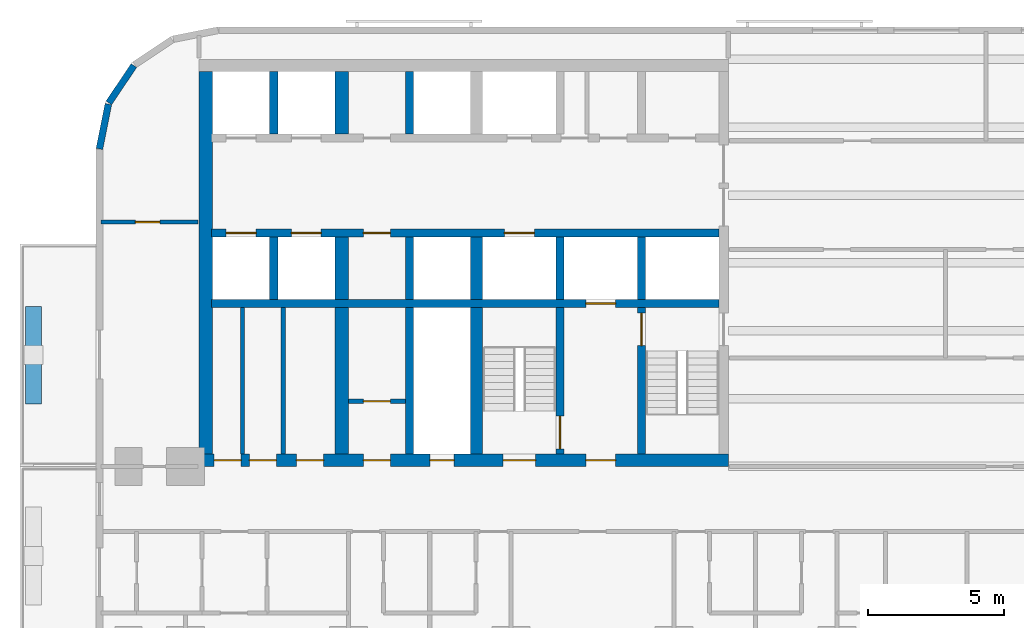
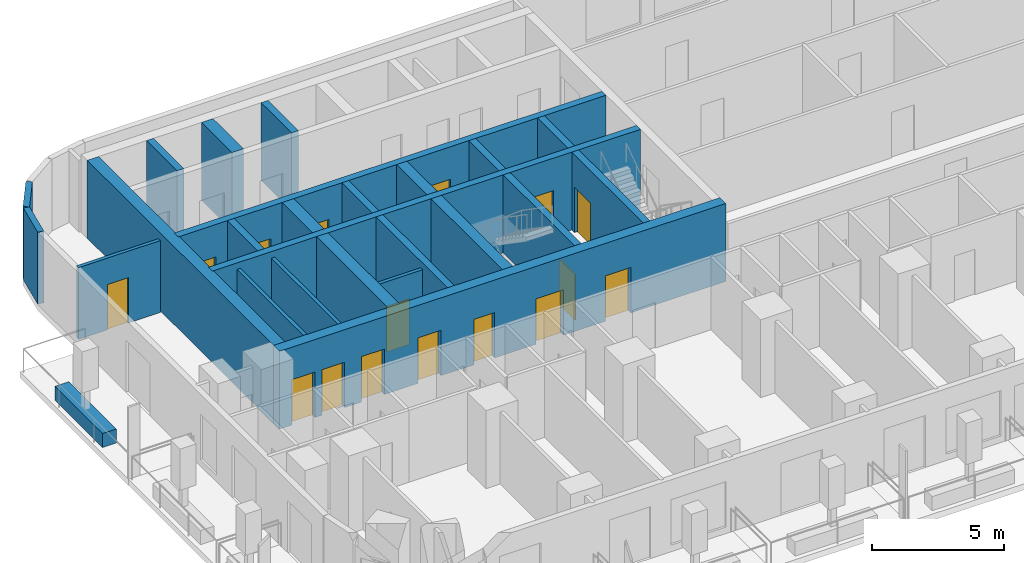
# One storey, part 3 of 15: 25 walls, 16 doors, 16 openings.
"""IFC4 building model written with IfcOpenShell, lengths in metres."""

from ifc_helpers import new_model, si_unit, direction, frame, frame_2d, origin, place, context, subcontext, project, spatial, rectangle, extrude, material, layer, layer_set, type_object, element, fill, save


model = new_model("IFC4")

# Units and contexts
model_context = context("Model", 3, precision=1e-05, world=origin(), true_north=direction((0.0, 1.0)))
body_context = subcontext(model_context, "Body", "Model", "MODEL_VIEW")
ifc_project = project(units=[si_unit("LENGTHUNIT", "METRE"), si_unit("AREAUNIT", "SQUARE_METRE"), si_unit("VOLUMEUNIT", "CUBIC_METRE"), si_unit("PLANEANGLEUNIT", "RADIAN"), si_unit("MASSUNIT", "GRAM", prefix="KILO")], contexts=[model_context])

# Site, building, storey
site_placement = place(None, origin())
site = spatial("IfcSite", under=ifc_project, at=site_placement, CompositionType="ELEMENT")
building_placement = place(site_placement, origin())
building = spatial("IfcBuilding", under=site, at=building_placement, Name="Torana Hotel and Residences", CompositionType="ELEMENT")
storey_placement = place(building_placement, frame((0.0, 0.0, 45.60009765625)))
storey = spatial("IfcBuildingStorey", under=building, at=storey_placement, Name="L10", CompositionType="ELEMENT", Elevation=45.60009765625)

# Wall, openings, doors
ifc_material_1 = material(Name="Concrete C80/95", Category="concrete")
ifc_layer_1 = layer(ifc_material_1, 0.300048828125)
ifc_layer_set_1 = layer_set([ifc_layer_1], Name="CORE WALL 300 C80/95")
wall_type_1 = type_object("IfcWallType", Name="CORE WALL 300 C80/95", PredefinedType="SHEAR", material=ifc_layer_set_1)
wall_1_placement = place(storey_placement, frame((-29.050048828125, -6.39990234375, 0.0), z_axis=(0.0, 0.0, 1.0), x_axis=(1.0, 0.0, 0.0)))
wall_1 = element("IfcWall", 1, at=wall_1_placement, inside=storey, type_object=wall_type_1, Name="Core wall W row-S", PredefinedType="SHEAR", context=body_context, shape_type="SweptSolid", body=[
    extrude(rectangle(XDim=18.699951171875, YDim=0.300048828125, at=frame_2d((9.35009765625, 0.0))), origin(), (0.0, 0.0, 1.0), 3.599853515625),
])
opening_1_placement = place(wall_1_placement, frame((2.949951171875, 0.0, 0.0)))
opening_1 = element("IfcOpeningElement", 2, at=opening_1_placement, cuts=wall_1, Name="Opening LD", PredefinedType="OPENING", context=body_context, shape_type="SweptSolid", body=[
    extrude(rectangle(XDim=1.10009765625, YDim=2.10009765625, at=frame_2d((0.550048828125, 1.050048828125))), frame((0.0, 0.159912109375, 0.0), z_axis=(0.0, -1.0, 0.0), x_axis=(1.0, 0.0, 0.0)), (0.0, 0.0, 1.0), 0.320068359375),
])
opening_2_placement = place(wall_1_placement, frame((0.550048828125, 0.0, 0.0)))
opening_2 = element("IfcOpeningElement", 3, at=opening_2_placement, cuts=wall_1, Name="Opening LD", PredefinedType="OPENING", context=body_context, shape_type="SweptSolid", body=[
    extrude(rectangle(XDim=1.10009765625, YDim=2.10009765625, at=frame_2d((0.550048828125, 1.050048828125))), frame((0.0, 0.159912109375, 0.0), z_axis=(0.0, -1.0, 0.0), x_axis=(1.0, 0.0, 0.0)), (0.0, 0.0, 1.0), 0.320068359375),
])
opening_3_placement = place(wall_1_placement, frame((10.800048828125, 0.0, 0.0)))
opening_3 = element("IfcOpeningElement", 4, at=opening_3_placement, cuts=wall_1, Name="Opening LD", PredefinedType="OPENING", context=body_context, shape_type="SweptSolid", body=[
    extrude(rectangle(XDim=1.10009765625, YDim=2.10009765625, at=frame_2d((0.550048828125, 1.050048828125))), frame((0.0, 0.159912109375, 0.0), z_axis=(0.0, -1.0, 0.0), x_axis=(1.0, 0.0, 0.0)), (0.0, 0.0, 1.0), 0.320068359375),
])
opening_4_placement = place(wall_1_placement, frame((5.60009765625, 0.0, 0.0)))
opening_4 = element("IfcOpeningElement", 5, at=opening_4_placement, cuts=wall_1, Name="Opening L10-16", PredefinedType="OPENING", context=body_context, shape_type="SweptSolid", body=[
    extrude(rectangle(XDim=1.0, YDim=2.10009765625, at=frame_2d((0.5, 1.050048828125))), frame((0.0, 0.159912109375, 0.0), z_axis=(0.0, -1.0, 0.0), x_axis=(1.0, 0.0, 0.0)), (0.0, 0.0, 1.0), 0.320068359375),
])
ifc_material_2 = material(Name="Steel S235", Category="steel")
door_type_1 = type_object("IfcDoorType", Name="CORE ROOM FIRE DOOR D14 1000x2100", OperationType="SINGLE_SWING_LEFT", PredefinedType="DOOR", material=ifc_material_2)
door_1_placement = place(opening_4_placement, frame((0.5, 0.0, 0.0), z_axis=(0.0, 0.0, 1.0), x_axis=(-1.0, 0.0, 0.0)))
door_1 = element("IfcDoor", 6, at=door_1_placement, inside=storey, type_object=door_type_1, Name="Free-M2 door L10", OperationType="SINGLE_SWING_LEFT", OverallHeight=2.10009765625, OverallWidth=1.0, PredefinedType="DOOR", context=body_context, shape_type="SweptSolid", body=[
    extrude(rectangle(XDim=1.0, YDim=2.10009765625, at=frame_2d((0.0, 1.050048828125))), frame((0.0, -0.02490234375, 0.0), z_axis=(0.0, 1.0, 0.0), x_axis=(-1.0, 0.0, 0.0)), (0.0, 0.0, 1.0), 0.050048828125),
])
fill(opening_4, door_1)
ifc_material_3 = material(Name="Stainless steel 316", Category="steel")
door_type_2 = type_object("IfcDoorType", Name="LIFT LANDING DOOR LD 1100x2100", OperationType="DOUBLE_DOOR_SLIDING", PredefinedType="USERDEFINED", material=ifc_material_3)
door_2_placement = place(opening_1_placement, origin())
door_2 = element("IfcDoor", 7, at=door_2_placement, inside=storey, type_object=door_type_2, Name="Lift landing door L3 L10", ObjectType="LIFT LANDING DOOR", OperationType="DOUBLE_DOOR_SLIDING", OverallHeight=2.10009765625, OverallWidth=1.10009765625, PredefinedType="USERDEFINED", context=body_context, shape_type="SweptSolid", body=[
    extrude(rectangle(XDim=1.10009765625, YDim=2.10009765625, at=frame_2d((0.550048828125, 1.050048828125))), frame((0.0, 0.02490234375, 0.0), z_axis=(0.0, -1.0, 0.0), x_axis=(1.0, 0.0, 0.0)), (0.0, 0.0, 1.0), 0.050048828125),
])
fill(opening_1, door_2)
door_3_placement = place(opening_2_placement, origin())
door_3 = element("IfcDoor", 8, at=door_3_placement, inside=storey, type_object=door_type_2, Name="Lift landing door L4 L10", ObjectType="LIFT LANDING DOOR", OperationType="DOUBLE_DOOR_SLIDING", OverallHeight=2.10009765625, OverallWidth=1.10009765625, PredefinedType="USERDEFINED", context=body_context, shape_type="SweptSolid", body=[
    extrude(rectangle(XDim=1.10009765625, YDim=2.10009765625, at=frame_2d((0.550048828125, 1.050048828125))), frame((0.0, 0.02490234375, 0.0), z_axis=(0.0, -1.0, 0.0), x_axis=(1.0, 0.0, 0.0)), (0.0, 0.0, 1.0), 0.050048828125),
])
fill(opening_2, door_3)
door_4_placement = place(opening_3_placement, origin())
door_4 = element("IfcDoor", 9, at=door_4_placement, inside=storey, type_object=door_type_2, Name="Lift landing door SV1 L10", ObjectType="LIFT LANDING DOOR", OperationType="DOUBLE_DOOR_SLIDING", OverallHeight=2.10009765625, OverallWidth=1.10009765625, PredefinedType="USERDEFINED", context=body_context, shape_type="SweptSolid", body=[
    extrude(rectangle(XDim=1.10009765625, YDim=2.10009765625, at=frame_2d((0.550048828125, 1.050048828125))), frame((0.0, 0.02490234375, 0.0), z_axis=(0.0, -1.0, 0.0), x_axis=(1.0, 0.0, 0.0)), (0.0, 0.0, 1.0), 0.050048828125),
])
fill(opening_3, door_4)

# Wall, opening, door
wall_2_placement = place(storey_placement, frame((-29.050048828125, -9.0, 0.0), z_axis=(0.0, 0.0, 1.0), x_axis=(1.0, 0.0, 0.0)))
wall_2 = element("IfcWall", 10, at=wall_2_placement, inside=storey, type_object=wall_type_1, Name="Core wall W band", PredefinedType="SHEAR", context=body_context, shape_type="SweptSolid", body=[
    extrude(rectangle(XDim=18.699951171875, YDim=0.300048828125, at=frame_2d((9.35009765625, 0.0))), origin(), (0.0, 0.0, 1.0), 3.599853515625),
])
opening_5_placement = place(wall_2_placement, frame((13.800048828125, 0.0, 0.0)))
opening_5 = element("IfcOpeningElement", 11, at=opening_5_placement, cuts=wall_2, Name="Opening LD", PredefinedType="OPENING", context=body_context, shape_type="SweptSolid", body=[
    extrude(rectangle(XDim=1.10009765625, YDim=2.10009765625, at=frame_2d((0.550048828125, 1.050048828125))), frame((0.0, 0.159912109375, 0.0), z_axis=(0.0, -1.0, 0.0), x_axis=(1.0, 0.0, 0.0)), (0.0, 0.0, 1.0), 0.320068359375),
])
door_5_placement = place(opening_5_placement, origin())
door_5 = element("IfcDoor", 12, at=door_5_placement, inside=storey, type_object=door_type_2, Name="Lift landing door FF1 L10", ObjectType="LIFT LANDING DOOR", OperationType="DOUBLE_DOOR_SLIDING", OverallHeight=2.10009765625, OverallWidth=1.10009765625, PredefinedType="USERDEFINED", context=body_context, shape_type="SweptSolid", body=[
    extrude(rectangle(XDim=1.10009765625, YDim=2.10009765625, at=frame_2d((0.550048828125, 1.050048828125))), frame((0.0, 0.02490234375, 0.0), z_axis=(0.0, -1.0, 0.0), x_axis=(1.0, 0.0, 0.0)), (0.0, 0.0, 1.0), 0.050048828125),
])
fill(opening_5, door_5)

# Wall
wall_3_placement = place(storey_placement, frame((-13.199951171875, -8.85009765625, 0.0), z_axis=(0.0, 0.0, 1.0), x_axis=(0.0, 1.0, 0.0)))
element("IfcWall", 13, at=wall_3_placement, inside=storey, type_object=wall_type_1, Name="Core wall W x3.05-S", PredefinedType="SHEAR", context=body_context, shape_type="SweptSolid", body=[
    extrude(rectangle(XDim=2.300048828125, YDim=0.300048828125, at=frame_2d((1.14990234375, 0.0))), origin(), (0.0, 0.0, 1.0), 3.599853515625),
])

# Wall, opening, door
wall_4_placement = place(storey_placement, frame((-13.199951171875, -14.550048828125, 0.0), z_axis=(0.0, 0.0, 1.0), x_axis=(0.0, 1.0, 0.0)))
wall_4 = element("IfcWall", 14, at=wall_4_placement, inside=storey, type_object=wall_type_1, Name="Core wall W x3.05-band", PredefinedType="SHEAR", context=body_context, shape_type="SweptSolid", body=[
    extrude(rectangle(XDim=5.400146484375, YDim=0.300048828125, at=frame_2d((2.7001953125, 0.0))), origin(), (0.0, 0.0, 1.0), 3.599853515625),
])
opening_6_placement = place(wall_4_placement, frame((4.0, 0.0, 0.0)))
opening_6 = element("IfcOpeningElement", 15, at=opening_6_placement, cuts=wall_4, Name="Opening L10-17", PredefinedType="OPENING", context=body_context, shape_type="SweptSolid", body=[
    extrude(rectangle(XDim=1.199951171875, YDim=2.10009765625, at=frame_2d((0.60009765625, 1.050048828125))), frame((0.0, 0.159912109375, 0.0), z_axis=(0.0, -1.0, 0.0), x_axis=(1.0, 0.0, 0.0)), (0.0, 0.0, 1.0), 0.320068359375),
])
ifc_material_4 = material(Name="Steel S235", Category="steel")
door_type_3 = type_object("IfcDoorType", Name="STAIR FIRE DOOR D3 1200x2100", OperationType="SINGLE_SWING_LEFT", PredefinedType="DOOR", material=ifc_material_4)
door_6_placement = place(opening_6_placement, frame((0.60009765625, 0.0, 0.0), z_axis=(0.0, 0.0, 1.0), x_axis=(-1.0, 0.0, 0.0)))
door_6 = element("IfcDoor", 16, at=door_6_placement, inside=storey, type_object=door_type_3, Name="Stair-A-lobby door L10", OperationType="SINGLE_SWING_RIGHT", OverallHeight=2.10009765625, OverallWidth=1.199951171875, PredefinedType="DOOR", context=body_context, shape_type="SweptSolid", body=[
    extrude(rectangle(XDim=1.199951171875, YDim=2.10009765625, at=frame_2d((0.0, 1.050048828125))), frame((0.0, -0.02490234375, 0.0), z_axis=(0.0, 1.0, 0.0), x_axis=(-1.0, 0.0, 0.0)), (0.0, 0.0, 1.0), 0.050048828125),
])
fill(opening_6, door_6)

# Wall
wall_5_placement = place(storey_placement, frame((-16.199951171875, -8.85009765625, 0.0), z_axis=(0.0, 0.0, 1.0), x_axis=(0.0, 1.0, 0.0)))
element("IfcWall", 17, at=wall_5_placement, inside=storey, type_object=wall_type_1, Name="Core wall W x6.05-S", PredefinedType="SHEAR", context=body_context, shape_type="SweptSolid", body=[
    extrude(rectangle(XDim=2.300048828125, YDim=0.300048828125, at=frame_2d((1.14990234375, 0.0))), origin(), (0.0, 0.0, 1.0), 3.599853515625),
])

# Wall, opening, door
wall_6_placement = place(storey_placement, frame((-16.199951171875, -14.550048828125, 0.0), z_axis=(0.0, 0.0, 1.0), x_axis=(0.0, 1.0, 0.0)))
wall_6 = element("IfcWall", 18, at=wall_6_placement, inside=storey, type_object=wall_type_1, Name="Core wall W x6.05-band", PredefinedType="SHEAR", context=body_context, shape_type="SweptSolid", body=[
    extrude(rectangle(XDim=5.400146484375, YDim=0.300048828125, at=frame_2d((2.7001953125, 0.0))), origin(), (0.0, 0.0, 1.0), 3.599853515625),
])
opening_7_placement = place(wall_6_placement, frame((0.199951171875, 0.0, 0.0)))
opening_7 = element("IfcOpeningElement", 19, at=opening_7_placement, cuts=wall_6, Name="Opening L10-18", PredefinedType="OPENING", context=body_context, shape_type="SweptSolid", body=[
    extrude(rectangle(XDim=1.199951171875, YDim=2.10009765625, at=frame_2d((0.60009765625, 1.050048828125))), frame((0.0, 0.159912109375, 0.0), z_axis=(0.0, -1.0, 0.0), x_axis=(1.0, 0.0, 0.0)), (0.0, 0.0, 1.0), 0.320068359375),
])
door_7_placement = place(opening_7_placement, origin())
door_7 = element("IfcDoor", 20, at=door_7_placement, inside=storey, type_object=door_type_3, Name="Stair-B-lobby door L10", OperationType="SINGLE_SWING_RIGHT", OverallHeight=2.10009765625, OverallWidth=1.199951171875, PredefinedType="DOOR", context=body_context, shape_type="SweptSolid", body=[
    extrude(rectangle(XDim=1.199951171875, YDim=2.10009765625, at=frame_2d((0.60009765625, 1.050048828125))), frame((0.0, 0.02490234375, 0.0), z_axis=(0.0, -1.0, 0.0), x_axis=(1.0, 0.0, 0.0)), (0.0, 0.0, 1.0), 0.050048828125),
])
fill(opening_7, door_7)

# Walls
for number, where, z_axis, x_axis, name in (
    (21, (-21.75, -2.75, 0.0), (0.0, 0.0, 1.0), (0.0, 1.0, 0.0), "Core wall W mm-N"),
    (22, (-21.75, -8.85009765625, 0.0), (0.0, 0.0, 1.0), (0.0, 1.0, 0.0), "Core wall W mm-S"),
):
    element("IfcWall", number, at=place(storey_placement, frame(where, z_axis=z_axis, x_axis=x_axis)), inside=storey, type_object=wall_type_1, Name=name, PredefinedType="SHEAR", context=body_context, shape_type="SweptSolid", body=[
        extrude(rectangle(XDim=2.300048828125, YDim=0.300048828125, at=frame_2d((1.14990234375, 0.0))), origin(), (0.0, 0.0, 1.0), 3.599853515625),
    ])
wall_7_placement = place(storey_placement, frame((-21.75, -14.550048828125, 0.0), z_axis=(0.0, 0.0, 1.0), x_axis=(0.0, 1.0, 0.0)))
element("IfcWall", 23, at=wall_7_placement, inside=storey, type_object=wall_type_1, Name="Core wall W mm-band", PredefinedType="SHEAR", context=body_context, shape_type="SweptSolid", body=[
    extrude(rectangle(XDim=5.400146484375, YDim=0.300048828125, at=frame_2d((2.7001953125, 0.0))), origin(), (0.0, 0.0, 1.0), 3.599853515625),
])
for number, where, z_axis, x_axis, name in (
    (24, (-26.75, -2.75, 0.0), (0.0, 0.0, 1.0), (0.0, 1.0, 0.0), "Core wall W ll-N"),
    (25, (-26.75, -8.85009765625, 0.0), (0.0, 0.0, 1.0), (0.0, 1.0, 0.0), "Core wall W ll-S"),
):
    element("IfcWall", number, at=place(storey_placement, frame(where, z_axis=z_axis, x_axis=x_axis)), inside=storey, type_object=wall_type_1, Name=name, PredefinedType="SHEAR", context=body_context, shape_type="SweptSolid", body=[
        extrude(rectangle(XDim=2.300048828125, YDim=0.300048828125, at=frame_2d((1.14990234375, 0.0))), origin(), (0.0, 0.0, 1.0), 3.599853515625),
    ])

# Wall, openings, doors
ifc_material_5 = material(Name="Concrete C80/95", Category="concrete")
ifc_layer_2 = layer(ifc_material_5, 0.449951171875)
ifc_layer_set_2 = layer_set([ifc_layer_2], Name="CORE WALL 450 C80/95")
wall_type_2 = type_object("IfcWallType", Name="CORE WALL 450 C80/95", PredefinedType="SHEAR", material=ifc_layer_set_2)
wall_8_placement = place(storey_placement, frame((-29.5, -14.77490234375, 0.0), z_axis=(0.0, 0.0, 1.0), x_axis=(1.0, 0.0, 0.0)))
wall_8 = element("IfcWall", 26, at=wall_8_placement, inside=storey, type_object=wall_type_2, Name="Core wall W front", PredefinedType="SHEAR", context=body_context, shape_type="SweptSolid", body=[
    extrude(rectangle(XDim=19.5, YDim=0.449951171875, at=frame_2d((9.75, 0.0))), origin(), (0.0, 0.0, 1.0), 3.599853515625),
])
opening_8_placement = place(wall_8_placement, frame((11.199951171875, 0.0, 0.0)))
opening_8 = element("IfcOpeningElement", 27, at=opening_8_placement, cuts=wall_8, Name="Opening L10-04", PredefinedType="OPENING", context=body_context, shape_type="SweptSolid", body=[
    extrude(rectangle(XDim=1.199951171875, YDim=2.10009765625, at=frame_2d((0.60009765625, 1.050048828125))), frame((0.0, 0.23486328125, 0.0), z_axis=(0.0, -1.0, 0.0), x_axis=(1.0, 0.0, 0.0)), (0.0, 0.0, 1.0), 0.469970703125),
])
opening_9_placement = place(wall_8_placement, frame((14.25, 0.0, 0.0)))
opening_9 = element("IfcOpeningElement", 28, at=opening_9_placement, cuts=wall_8, Name="Opening L10-05", PredefinedType="OPENING", context=body_context, shape_type="SweptSolid", body=[
    extrude(rectangle(XDim=1.10009765625, YDim=2.10009765625, at=frame_2d((0.550048828125, 1.050048828125))), frame((0.0, 0.23486328125, 0.0), z_axis=(0.0, -1.0, 0.0), x_axis=(1.0, 0.0, 0.0)), (0.0, 0.0, 1.0), 0.469970703125),
])
opening_10_placement = place(wall_8_placement, frame((8.5, 0.0, 0.0)))
opening_10 = element("IfcOpeningElement", 29, at=opening_10_placement, cuts=wall_8, Name="Opening L10-06", PredefinedType="OPENING", context=body_context, shape_type="SweptSolid", body=[
    extrude(rectangle(XDim=0.89990234375, YDim=2.10009765625, at=frame_2d((0.449951171875, 1.050048828125))), frame((0.0, 0.23486328125, 0.0), z_axis=(0.0, -1.0, 0.0), x_axis=(1.0, 0.0, 0.0)), (0.0, 0.0, 1.0), 0.469970703125),
])
opening_11_placement = place(wall_8_placement, frame((6.050048828125, 0.0, 0.0)))
opening_11 = element("IfcOpeningElement", 30, at=opening_11_placement, cuts=wall_8, Name="Opening L10-07", PredefinedType="OPENING", context=body_context, shape_type="SweptSolid", body=[
    extrude(rectangle(XDim=1.0, YDim=2.10009765625, at=frame_2d((0.5, 1.050048828125))), frame((0.0, 0.23486328125, 0.0), z_axis=(0.0, -1.0, 0.0), x_axis=(1.0, 0.0, 0.0)), (0.0, 0.0, 1.0), 0.469970703125),
])
opening_12_placement = place(wall_8_placement, frame((3.58740234375, 0.0, 0.0)))
opening_12 = element("IfcOpeningElement", 31, at=opening_12_placement, cuts=wall_8, Name="Opening L10-08", PredefinedType="OPENING", context=body_context, shape_type="SweptSolid", body=[
    extrude(rectangle(XDim=1.0, YDim=2.10009765625, at=frame_2d((0.5, 1.050048828125))), frame((0.0, 0.23486328125, 0.0), z_axis=(0.0, -1.0, 0.0), x_axis=(1.0, 0.0, 0.0)), (0.0, 0.0, 1.0), 0.469970703125),
])
opening_13_placement = place(wall_8_placement, frame((1.85009765625, 0.0, 0.0)))
opening_13 = element("IfcOpeningElement", 32, at=opening_13_placement, cuts=wall_8, Name="Opening L10-09", PredefinedType="OPENING", context=body_context, shape_type="SweptSolid", body=[
    extrude(rectangle(XDim=1.0, YDim=2.10009765625, at=frame_2d((0.5, 1.050048828125))), frame((0.0, 0.23486328125, 0.0), z_axis=(0.0, -1.0, 0.0), x_axis=(1.0, 0.0, 0.0)), (0.0, 0.0, 1.0), 0.469970703125),
])
opening_14_placement = place(wall_8_placement, frame((0.550048828125, 0.0, 0.0)))
opening_14 = element("IfcOpeningElement", 33, at=opening_14_placement, cuts=wall_8, Name="Opening L10-10", PredefinedType="OPENING", context=body_context, shape_type="SweptSolid", body=[
    extrude(rectangle(XDim=1.0, YDim=2.10009765625, at=frame_2d((0.5, 1.050048828125))), frame((0.0, 0.23486328125, 0.0), z_axis=(0.0, -1.0, 0.0), x_axis=(1.0, 0.0, 0.0)), (0.0, 0.0, 1.0), 0.469970703125),
])
door_8_placement = place(opening_11_placement, origin())
door_8 = element("IfcDoor", 34, at=door_8_placement, inside=storey, type_object=door_type_1, Name="M-Room-B door L10", OperationType="SINGLE_SWING_RIGHT", OverallHeight=2.10009765625, OverallWidth=1.0, PredefinedType="DOOR", context=body_context, shape_type="SweptSolid", body=[
    extrude(rectangle(XDim=1.0, YDim=2.10009765625, at=frame_2d((0.5, 1.050048828125))), frame((0.0, 0.02490234375, 0.0), z_axis=(0.0, -1.0, 0.0), x_axis=(1.0, 0.0, 0.0)), (0.0, 0.0, 1.0), 0.050048828125),
])
fill(opening_11, door_8)
door_9_placement = place(opening_12_placement, origin())
door_9 = element("IfcDoor", 35, at=door_9_placement, inside=storey, type_object=door_type_1, Name="L-A door L10", OperationType="SINGLE_SWING_RIGHT", OverallHeight=2.10009765625, OverallWidth=1.0, PredefinedType="DOOR", context=body_context, shape_type="SweptSolid", body=[
    extrude(rectangle(XDim=1.0, YDim=2.10009765625, at=frame_2d((0.5, 1.050048828125))), frame((0.0, 0.02490234375, 0.0), z_axis=(0.0, -1.0, 0.0), x_axis=(1.0, 0.0, 0.0)), (0.0, 0.0, 1.0), 0.050048828125),
])
fill(opening_12, door_9)
door_10_placement = place(opening_13_placement, origin())
door_10 = element("IfcDoor", 36, at=door_10_placement, inside=storey, type_object=door_type_1, Name="L-B door L10", OperationType="SINGLE_SWING_RIGHT", OverallHeight=2.10009765625, OverallWidth=1.0, PredefinedType="DOOR", context=body_context, shape_type="SweptSolid", body=[
    extrude(rectangle(XDim=1.0, YDim=2.10009765625, at=frame_2d((0.5, 1.050048828125))), frame((0.0, 0.02490234375, 0.0), z_axis=(0.0, -1.0, 0.0), x_axis=(1.0, 0.0, 0.0)), (0.0, 0.0, 1.0), 0.050048828125),
])
fill(opening_13, door_10)
door_11_placement = place(opening_14_placement, origin())
door_11 = element("IfcDoor", 37, at=door_11_placement, inside=storey, type_object=door_type_1, Name="L-C door L10", OperationType="SINGLE_SWING_RIGHT", OverallHeight=2.10009765625, OverallWidth=1.0, PredefinedType="DOOR", context=body_context, shape_type="SweptSolid", body=[
    extrude(rectangle(XDim=1.0, YDim=2.10009765625, at=frame_2d((0.5, 1.050048828125))), frame((0.0, 0.02490234375, 0.0), z_axis=(0.0, -1.0, 0.0), x_axis=(1.0, 0.0, 0.0)), (0.0, 0.0, 1.0), 0.050048828125),
])
fill(opening_14, door_11)
ifc_material_6 = material(Name="Steel S235", Category="steel")
door_type_4 = type_object("IfcDoorType", Name="FIRE-FIGHTING LOBBY DOOR D8 1100x2100", OperationType="SINGLE_SWING_LEFT", PredefinedType="DOOR", material=ifc_material_6)
door_12_placement = place(opening_9_placement, origin())
door_12 = element("IfcDoor", 38, at=door_12_placement, inside=storey, type_object=door_type_4, Name="FF-lobby door L10", OperationType="SINGLE_SWING_RIGHT", OverallHeight=2.10009765625, OverallWidth=1.10009765625, PredefinedType="DOOR", context=body_context, shape_type="SweptSolid", body=[
    extrude(rectangle(XDim=1.10009765625, YDim=2.10009765625, at=frame_2d((0.550048828125, 1.050048828125))), frame((0.0, 0.02490234375, 0.0), z_axis=(0.0, -1.0, 0.0), x_axis=(1.0, 0.0, 0.0)), (0.0, 0.0, 1.0), 0.050048828125),
])
fill(opening_9, door_12)
ifc_material_7 = material(Name="Steel S235", Category="steel")
door_type_5 = type_object("IfcDoorType", Name="RISER ACCESS DOOR D5 900x2100", OperationType="SINGLE_SWING_LEFT", PredefinedType="DOOR", material=ifc_material_7)
door_13_placement = place(opening_10_placement, origin())
door_13 = element("IfcDoor", 39, at=door_13_placement, inside=storey, type_object=door_type_5, Name="M-Riser door L10", OperationType="SINGLE_SWING_RIGHT", OverallHeight=2.10009765625, OverallWidth=0.89990234375, PredefinedType="DOOR", context=body_context, shape_type="SweptSolid", body=[
    extrude(rectangle(XDim=0.89990234375, YDim=2.10009765625, at=frame_2d((0.449951171875, 1.050048828125))), frame((0.0, 0.02490234375, 0.0), z_axis=(0.0, -1.0, 0.0), x_axis=(1.0, 0.0, 0.0)), (0.0, 0.0, 1.0), 0.050048828125),
])
fill(opening_10, door_13)
door_14_placement = place(opening_8_placement, origin())
door_14 = element("IfcDoor", 40, at=door_14_placement, inside=storey, type_object=door_type_3, Name="Stair-B door L10", OperationType="SINGLE_SWING_RIGHT", OverallHeight=2.10009765625, OverallWidth=1.199951171875, PredefinedType="DOOR", context=body_context, shape_type="SweptSolid", body=[
    extrude(rectangle(XDim=1.199951171875, YDim=2.10009765625, at=frame_2d((0.60009765625, 1.050048828125))), frame((0.0, 0.02490234375, 0.0), z_axis=(0.0, -1.0, 0.0), x_axis=(1.0, 0.0, 0.0)), (0.0, 0.0, 1.0), 0.050048828125),
])
fill(opening_8, door_14)

# Walls
wall_9_placement = place(storey_placement, frame((-19.27490234375, -8.85009765625, 0.0), z_axis=(0.0, 0.0, 1.0), x_axis=(0.0, 1.0, 0.0)))
element("IfcWall", 41, at=wall_9_placement, inside=storey, type_object=wall_type_2, Name="Core wall W hm-S", PredefinedType="SHEAR", context=body_context, shape_type="SweptSolid", body=[
    extrude(rectangle(XDim=2.300048828125, YDim=0.449951171875, at=frame_2d((1.14990234375, 0.0))), origin(), (0.0, 0.0, 1.0), 3.599853515625),
])
wall_10_placement = place(storey_placement, frame((-19.27490234375, -14.550048828125, 0.0), z_axis=(0.0, 0.0, 1.0), x_axis=(0.0, 1.0, 0.0)))
element("IfcWall", 42, at=wall_10_placement, inside=storey, type_object=wall_type_2, Name="Core wall W hm-band", PredefinedType="SHEAR", context=body_context, shape_type="SweptSolid", body=[
    extrude(rectangle(XDim=5.400146484375, YDim=0.449951171875, at=frame_2d((2.7001953125, 0.0))), origin(), (0.0, 0.0, 1.0), 3.599853515625),
])
ifc_material_8 = material(Name="Concrete C80/95", Category="concrete")
ifc_layer_3 = layer(ifc_material_8, 0.5)
ifc_layer_set_3 = layer_set([ifc_layer_3], Name="CORE WALL 500 C80/95")
wall_type_3 = type_object("IfcWallType", Name="CORE WALL 500 C80/95", PredefinedType="SHEAR", material=ifc_layer_set_3)
wall_11_placement = place(storey_placement, frame((-29.25, -14.550048828125, 0.0), z_axis=(0.0, 0.0, 1.0), x_axis=(0.0, 1.0, 0.0)))
element("IfcWall", 43, at=wall_11_placement, inside=storey, type_object=wall_type_3, Name="Core wall W outer", PredefinedType="SHEAR", context=body_context, shape_type="SweptSolid", body=[
    extrude(rectangle(XDim=14.10009765625, YDim=0.5, at=frame_2d((7.050048828125, 0.0))), origin(), (0.0, 0.0, 1.0), 3.599853515625),
])
for number, where, z_axis, x_axis, name in (
    (44, (-24.25, -2.75, 0.0), (0.0, 0.0, 1.0), (0.0, 1.0, 0.0), "Core wall W ml-N"),
    (45, (-24.25, -8.85009765625, 0.0), (0.0, 0.0, 1.0), (0.0, 1.0, 0.0), "Core wall W ml-S"),
):
    element("IfcWall", number, at=place(storey_placement, frame(where, z_axis=z_axis, x_axis=x_axis)), inside=storey, type_object=wall_type_3, Name=name, PredefinedType="SHEAR", context=body_context, shape_type="SweptSolid", body=[
        extrude(rectangle(XDim=2.300048828125, YDim=0.5, at=frame_2d((1.14990234375, 0.0))), origin(), (0.0, 0.0, 1.0), 3.599853515625),
    ])
wall_12_placement = place(storey_placement, frame((-24.25, -14.550048828125, 0.0), z_axis=(0.0, 0.0, 1.0), x_axis=(0.0, 1.0, 0.0)))
element("IfcWall", 46, at=wall_12_placement, inside=storey, type_object=wall_type_3, Name="Core wall W ml-band", PredefinedType="SHEAR", context=body_context, shape_type="SweptSolid", body=[
    extrude(rectangle(XDim=5.400146484375, YDim=0.5, at=frame_2d((2.7001953125, 0.0))), origin(), (0.0, 0.0, 1.0), 3.599853515625),
])
ifc_material_9 = material(Name="Black aluminium composite panel", Category="aluminium")
ifc_layer_4 = layer(ifc_material_9, 0.00390625, Name="Cladding", Category="cladding")
ifc_material_10 = material(Name="Ventilated air cavity")
ifc_layer_5 = layer(ifc_material_10, 0.0400390625, Name="Ventilated cavity", Category="cavity")
ifc_material_11 = material(Name="Mineral wool insulation")
ifc_layer_6 = layer(ifc_material_11, 0.090087890625, Name="Insulation", Category="insulation")
ifc_material_12 = material(Name="Steel S280GD", Category="steel")
ifc_layer_7 = layer(ifc_material_12, 0.092041015625, Name="Steel stud frame", Category="structure")
ifc_material_13 = material(Name="Fire rated plasterboard")
ifc_layer_8 = layer(ifc_material_13, 0.011962890625, Name="Inner board", Category="finish")
ifc_layer_9 = layer(ifc_material_13, 0.011962890625, Name="Second board", Category="finish")
ifc_layer_set_4 = layer_set([ifc_layer_4, ifc_layer_5, ifc_layer_6, ifc_layer_7, ifc_layer_8, ifc_layer_9], Name="EW1 EXTERNAL WALL BLACK METAL CLAD 250")
wall_type_4 = type_object("IfcWallType", Name="EW1 EXTERNAL WALL BLACK METAL CLAD 250", PredefinedType="SOLIDWALL", material=ifc_layer_set_4)
wall_13_placement = place(storey_placement, frame((-31.90576171875, -0.228759765625, 0.0), z_axis=(0.0, 0.0, 1.0), x_axis=(-0.55555029066, -0.831482937015, 0.0)))
element("IfcWall", 47, at=wall_13_placement, inside=storey, type_object=wall_type_4, Name="External wall L10 e0.7", PredefinedType="SOLIDWALL", context=body_context, shape_type="SweptSolid", body=[
    extrude(rectangle(XDim=1.65625, YDim=0.25, at=frame_2d((0.828125, 0.0))), origin(), (0.0, 0.0, 1.0), 3.31982421875),
])
wall_14_placement = place(storey_placement, frame((-32.844482421875, -1.651123046875, 0.0), z_axis=(0.0, 0.0, 1.0), x_axis=(-0.19513878023, -0.980775640221, 0.0)))
element("IfcWall", 48, at=wall_14_placement, inside=storey, type_object=wall_type_4, Name="External wall L10 e0.8", PredefinedType="SOLIDWALL", context=body_context, shape_type="SweptSolid", body=[
    extrude(rectangle(XDim=1.681396484375, YDim=0.25, at=frame_2d((0.8408203125, 0.0))), origin(), (0.0, 0.0, 1.0), 3.31982421875),
])

# Wall, opening, door
ifc_material_14 = material(Name="Gypsum plaster")
ifc_layer_10 = layer(ifc_material_14, 0.014892578125, Name="Plaster", Category="finish")
ifc_material_15 = material(Name="Concrete blockwork", Category="masonry")
ifc_layer_11 = layer(ifc_material_15, 0.1201171875, Name="Blockwork", Category="structure")
ifc_layer_12 = layer(ifc_material_14, 0.014892578125, Name="Plaster", Category="finish")
ifc_layer_set_5 = layer_set([ifc_layer_10, ifc_layer_11, ifc_layer_12], Name="FIRE PARTITION 150 BLOCKWORK")
wall_type_5 = type_object("IfcWallType", Name="FIRE PARTITION 150 BLOCKWORK", PredefinedType="PARTITIONING", material=ifc_layer_set_5)
wall_15_placement = place(storey_placement, frame((-24.0, -12.60009765625, 0.0), z_axis=(0.0, 0.0, 1.0), x_axis=(1.0, 0.0, 0.0)))
wall_15 = element("IfcWall", 49, at=wall_15_placement, inside=storey, type_object=wall_type_5, Name="Core partition L10", PredefinedType="PARTITIONING", context=body_context, shape_type="SweptSolid", body=[
    extrude(rectangle(XDim=2.10009765625, YDim=0.14990234375, at=frame_2d((1.050048828125, 0.0))), origin(), (0.0, 0.0, 1.0), 3.2998046875),
])
opening_15_placement = place(wall_15_placement, frame((0.550048828125, 0.0, 0.0)))
opening_15 = element("IfcOpeningElement", 50, at=opening_15_placement, cuts=wall_15, Name="Opening L10-37", PredefinedType="OPENING", context=body_context, shape_type="SweptSolid", body=[
    extrude(rectangle(XDim=1.0, YDim=2.10009765625, at=frame_2d((0.5, 1.050048828125))), frame((0.0, 0.0849609375, 0.0), z_axis=(0.0, -1.0, 0.0), x_axis=(1.0, 0.0, 0.0)), (0.0, 0.0, 1.0), 0.169921875),
])
door_15_placement = place(opening_15_placement, origin())
door_15 = element("IfcDoor", 51, at=door_15_placement, inside=storey, type_object=door_type_1, Name="Plant room door L10", OperationType="SINGLE_SWING_RIGHT", OverallHeight=2.10009765625, OverallWidth=1.0, PredefinedType="DOOR", context=body_context, shape_type="SweptSolid", body=[
    extrude(rectangle(XDim=1.0, YDim=2.10009765625, at=frame_2d((0.5, 1.050048828125))), frame((0.0, 0.02490234375, 0.0), z_axis=(0.0, -1.0, 0.0), x_axis=(1.0, 0.0, 0.0)), (0.0, 0.0, 1.0), 0.050048828125),
])
fill(opening_15, door_15)

# Walls
for number, where, z_axis, x_axis, name in (
    (52, (-26.39990234375, -14.550048828125, 0.0), (0.0, 0.0, 1.0), (0.0, 1.0, 0.0), "Core partition L10"),
    (53, (-27.89990234375, -14.550048828125, 0.0), (0.0, 0.0, 1.0), (0.0, 1.0, 0.0), "Core partition L10"),
):
    element("IfcWall", number, at=place(storey_placement, frame(where, z_axis=z_axis, x_axis=x_axis)), inside=storey, type_object=wall_type_5, Name=name, PredefinedType="PARTITIONING", context=body_context, shape_type="SweptSolid", body=[
        extrude(rectangle(XDim=5.400146484375, YDim=0.14990234375, at=frame_2d((2.7001953125, 0.0))), origin(), (0.0, 0.0, 1.0), 3.2998046875),
    ])
ifc_material_16 = material(Name="Concrete C40/50 precast", Category="concrete")
ifc_layer_13 = layer(ifc_material_16, 0.10009765625, Name="Planter shell", Category="structure")
ifc_material_17 = material(Name="Root resistant membrane")
ifc_layer_14 = layer(ifc_material_17, 0.00390625, Name="Waterproofing membrane", Category="membrane")
ifc_material_18 = material(Name="Drainage board with filter fleece")
ifc_layer_15 = layer(ifc_material_18, 0.02001953125, Name="Drainage board", Category="drainage")
ifc_material_19 = material(Name="Growing medium")
ifc_layer_16 = layer(ifc_material_19, 0.47607421875, Name="Planting substrate", Category="soil")
ifc_layer_set_6 = layer_set([ifc_layer_13, ifc_layer_14, ifc_layer_15, ifc_layer_16], Name="PL1 BALCONY PLANTER 600")
wall_type_6 = type_object("IfcWallType", Name="PL1 BALCONY PLANTER 600", PredefinedType="USERDEFINED", material=ifc_layer_set_6)
wall_16_placement = place(storey_placement, frame((-35.60009765625, -12.699951171875, 0.0), z_axis=(0.0, 0.0, 1.0), x_axis=(0.0, 1.0, 0.0)))
element("IfcWall", 54, at=wall_16_placement, inside=storey, type_object=wall_type_6, Name="Planter 13", ObjectType="PLANTER", PredefinedType="USERDEFINED", context=body_context, shape_type="SweptSolid", body=[
    extrude(rectangle(XDim=3.599853515625, YDim=0.60009765625, at=frame_2d((1.7998046875, 0.0))), origin(), (0.0, 0.0, 1.0), 0.64990234375),
])

# Wall, opening, door
ifc_material_20 = material(Name="Ceramic tile on adhesive")
ifc_layer_17 = layer(ifc_material_20, 0.010009765625, Name="Wall tile", Category="finish")
ifc_material_21 = material(Name="Cement render")
ifc_layer_18 = layer(ifc_material_21, 0.010009765625, Name="Render", Category="finish")
ifc_layer_19 = layer(ifc_material_15, 0.110107421875, Name="Blockwork", Category="structure")
ifc_layer_20 = layer(ifc_material_21, 0.010009765625, Name="Render", Category="finish")
ifc_layer_21 = layer(ifc_material_20, 0.010009765625, Name="Wall tile", Category="finish")
ifc_layer_set_7 = layer_set([ifc_layer_17, ifc_layer_18, ifc_layer_19, ifc_layer_20, ifc_layer_21], Name="WC PARTITION 150")
wall_type_7 = type_object("IfcWallType", Name="WC PARTITION 150", PredefinedType="PLUMBINGWALL", material=ifc_layer_set_7)
wall_17_placement = place(storey_placement, frame((-33.1201171875, -6.0, 0.0), z_axis=(0.0, 0.0, 1.0), x_axis=(1.0, 0.0, 0.0)))
wall_17 = element("IfcWall", 55, at=wall_17_placement, inside=storey, type_object=wall_type_7, Name="Partition L10", PredefinedType="PLUMBINGWALL", context=body_context, shape_type="SweptSolid", body=[
    extrude(rectangle(XDim=3.570068359375, YDim=0.14990234375, at=frame_2d((1.78515625, 0.0))), origin(), (0.0, 0.0, 1.0), 3.31982421875),
])
opening_16_placement = place(wall_17_placement, frame((1.27001953125, 0.0, 0.0)))
opening_16 = element("IfcOpeningElement", 56, at=opening_16_placement, cuts=wall_17, Name="Opening L10-87", PredefinedType="OPENING", context=body_context, shape_type="SweptSolid", body=[
    extrude(rectangle(XDim=0.89990234375, YDim=2.10009765625, at=frame_2d((0.449951171875, 1.050048828125))), frame((0.0, 0.0849609375, 0.0), z_axis=(0.0, -1.0, 0.0), x_axis=(1.0, 0.0, 0.0)), (0.0, 0.0, 1.0), 0.169921875),
])
ifc_material_22 = material(Name="Timber door, oiled ash", Category="wood")
door_type_6 = type_object("IfcDoorType", Name="ROOM DOOR D7 900x2100", OperationType="SINGLE_SWING_LEFT", PredefinedType="DOOR", material=ifc_material_22)
door_16_placement = place(opening_16_placement, origin())
door_16 = element("IfcDoor", 57, at=door_16_placement, inside=storey, type_object=door_type_6, Name="Door L10", OperationType="SINGLE_SWING_RIGHT", OverallHeight=2.10009765625, OverallWidth=0.89990234375, PredefinedType="DOOR", context=body_context, shape_type="SweptSolid", body=[
    extrude(rectangle(XDim=0.89990234375, YDim=2.10009765625, at=frame_2d((0.449951171875, 1.050048828125))), frame((0.0, 0.02490234375, 0.0), z_axis=(0.0, -1.0, 0.0), x_axis=(1.0, 0.0, 0.0)), (0.0, 0.0, 1.0), 0.050048828125),
])
fill(opening_16, door_16)

save(model, "model.ifc")
